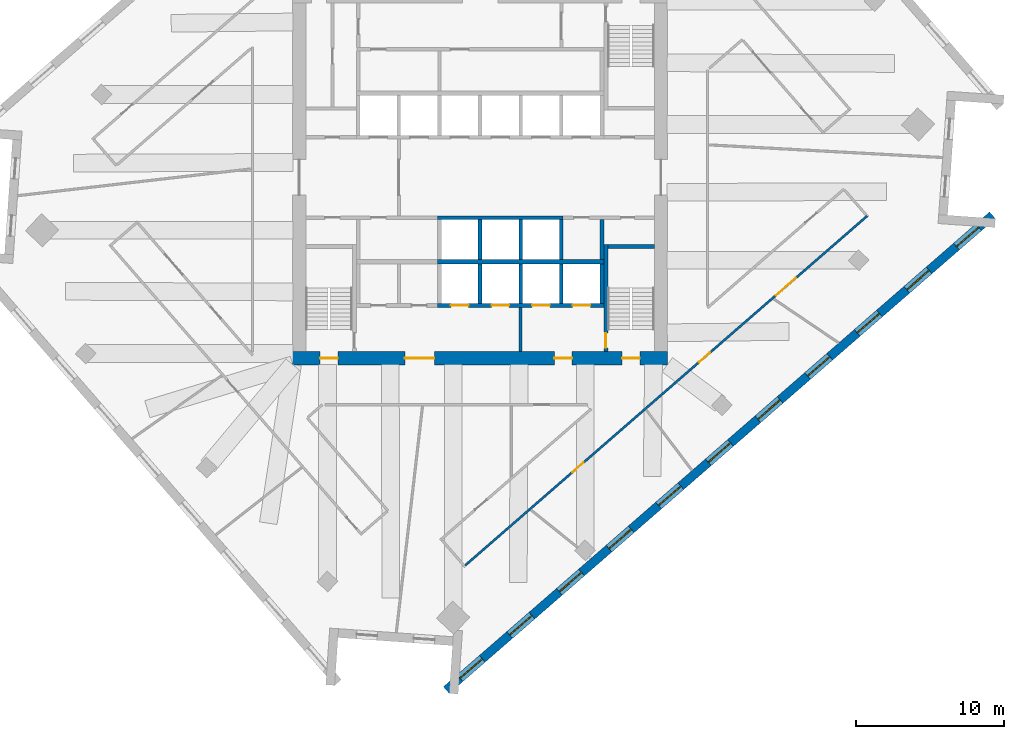
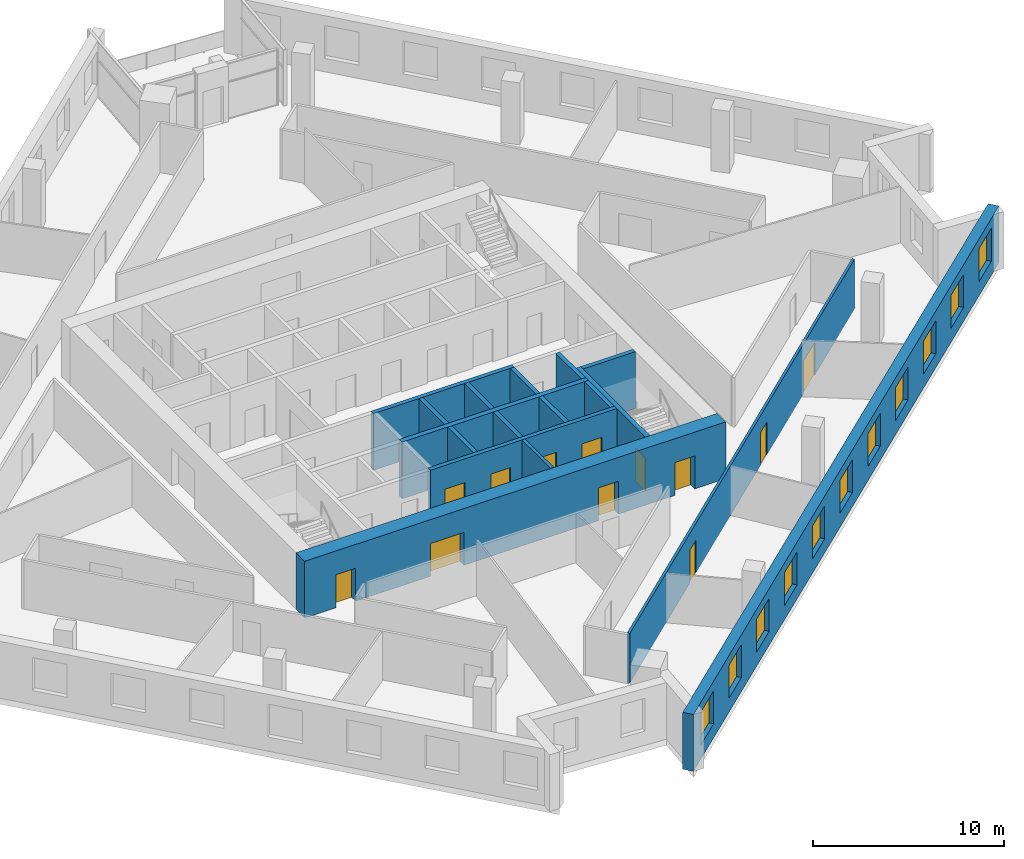
# One storey, part 5 of 11: 17 walls, 12 doors, 11 windows, 23 openings.
"""IFC4 building model written with IfcOpenShell, lengths in metres."""

from ifc_helpers import new_model, si_unit, direction, frame, frame_2d, origin, place, context, subcontext, project, spatial, rectangle, extrude, material, layer, layer_set, type_object, element, fill, save


model = new_model("IFC4")

# Units and contexts
model_context = context("Model", 3, precision=1e-05, world=origin(), true_north=direction((0.0, 1.0)))
body_context = subcontext(model_context, "Body", "Model", "MODEL_VIEW")
ifc_project = project(units=[si_unit("LENGTHUNIT", "METRE"), si_unit("AREAUNIT", "SQUARE_METRE"), si_unit("VOLUMEUNIT", "CUBIC_METRE"), si_unit("PLANEANGLEUNIT", "RADIAN"), si_unit("MASSUNIT", "GRAM", prefix="KILO")], contexts=[model_context])

# Site, building, storey
site_placement = place(None, origin())
site = spatial("IfcSite", under=ifc_project, at=site_placement, CompositionType="ELEMENT")
building_placement = place(site_placement, origin())
building = spatial("IfcBuilding", under=site, at=building_placement, Name="Dilmun Exchange Tower", CompositionType="ELEMENT")
storey_placement = place(building_placement, frame((0.0, 0.0, 189.300048828125)))
storey = spatial("IfcBuildingStorey", under=building, at=storey_placement, Name="L44", CompositionType="ELEMENT", Elevation=189.300048828125)

# Walls
ifc_material_1 = material(Name="Concrete C40/50", Category="concrete")
ifc_layer_1 = layer(ifc_material_1, 0.199951171875)
ifc_layer_set_1 = layer_set([ifc_layer_1], Name="Concrete C40/50")
wall_type_1 = type_object("IfcWallType", Name="Core partition wall 200", PredefinedType="PARTITIONING", material=ifc_layer_set_1)
wall_1_placement = place(storey_placement, frame((2.75, -11.794921875, 0.0), z_axis=(0.0, 0.0, 1.0), x_axis=(0.0, 1.0, 0.0)))
element("IfcWall", 1, at=wall_1_placement, inside=storey, type_object=wall_type_1, Name="L44 core partition wall 01", PredefinedType="PARTITIONING", context=body_context, shape_type="SweptSolid", body=[
    extrude(rectangle(XDim=2.989990234375, YDim=0.199951171875, at=frame_2d((1.4951171875, 0.0))), origin(), (0.0, 0.0, 1.0), 3.619873046875),
])
ifc_layer_2 = layer(ifc_material_1, 0.25)
ifc_layer_set_2 = layer_set([ifc_layer_2], Name="Concrete C40/50")
wall_type_2 = type_object("IfcWallType", Name="Core partition wall 250", PredefinedType="PARTITIONING", material=ifc_layer_set_2)
wall_2_placement = place(storey_placement, frame((8.25, -5.544921875, 0.0), z_axis=(0.0, 0.0, 1.0), x_axis=(0.0, 1.0, 0.0)))
element("IfcWall", 2, at=wall_2_placement, inside=storey, type_object=wall_type_2, Name="L44 core partition wall 07", PredefinedType="PARTITIONING", context=body_context, shape_type="SweptSolid", body=[
    extrude(rectangle(XDim=2.68994140625, YDim=0.25, at=frame_2d((1.344970703125, 0.0))), origin(), (0.0, 0.0, 1.0), 3.619873046875),
])

# Wall, openings, doors
ifc_material_2 = material(Name="Concrete C60/75", Category="concrete")
ifc_layer_3 = layer(ifc_material_2, 0.89990234375)
ifc_layer_set_3 = layer_set([ifc_layer_3], Name="Concrete C60/75")
wall_type_3 = type_object("IfcWallType", Name="Core shear wall 900 Concrete C60/75", PredefinedType="SHEAR", material=ifc_layer_set_3)
wall_3_placement = place(storey_placement, frame((-12.699951171875, -12.25, 0.0), z_axis=(0.0, 0.0, 1.0), x_axis=(1.0, 0.0, 0.0)))
wall_3 = element("IfcWall", 3, at=wall_3_placement, inside=storey, type_object=wall_type_3, Name="L44 core shear wall S", PredefinedType="SHEAR", context=body_context, shape_type="SweptSolid", body=[
    extrude(rectangle(XDim=25.39990234375, YDim=0.89990234375, at=frame_2d((12.699951171875, 0.0))), origin(), (0.0, 0.0, 1.0), 3.619873046875),
])
opening_1_placement = place(wall_3_placement, frame((7.60009765625, 0.0, 0.0)))
opening_1 = element("IfcOpeningElement", 4, at=opening_1_placement, cuts=wall_3, Name="Opening CD2", PredefinedType="OPENING", context=body_context, shape_type="SweptSolid", body=[
    extrude(rectangle(XDim=2.0, YDim=2.10009765625, at=frame_2d((1.0, 1.050048828125))), frame((0.0, 0.4599609375, 0.0), z_axis=(0.0, -1.0, 0.0), x_axis=(1.0, 0.0, 0.0)), (0.0, 0.0, 1.0), 0.919921875),
])
opening_2_placement = place(wall_3_placement, frame((17.72509765625, 0.0, 0.0)))
opening_2 = element("IfcOpeningElement", 5, at=opening_2_placement, cuts=wall_3, Name="Opening CD3", PredefinedType="OPENING", context=body_context, shape_type="SweptSolid", body=[
    extrude(rectangle(XDim=1.199951171875, YDim=2.10009765625, at=frame_2d((0.60009765625, 1.050048828125))), frame((0.0, 0.4599609375, 0.0), z_axis=(0.0, -1.0, 0.0), x_axis=(1.0, 0.0, 0.0)), (0.0, 0.0, 1.0), 0.919921875),
])
opening_3_placement = place(wall_3_placement, frame((1.875, 0.0, 0.0)))
opening_3 = element("IfcOpeningElement", 6, at=opening_3_placement, cuts=wall_3, Name="Opening CD3", PredefinedType="OPENING", context=body_context, shape_type="SweptSolid", body=[
    extrude(rectangle(XDim=1.199951171875, YDim=2.10009765625, at=frame_2d((0.60009765625, 1.050048828125))), frame((0.0, 0.4599609375, 0.0), z_axis=(0.0, -1.0, 0.0), x_axis=(1.0, 0.0, 0.0)), (0.0, 0.0, 1.0), 0.919921875),
])
opening_4_placement = place(wall_3_placement, frame((22.324951171875, 0.0, 0.0)))
opening_4 = element("IfcOpeningElement", 7, at=opening_4_placement, cuts=wall_3, Name="Opening CD3", PredefinedType="OPENING", context=body_context, shape_type="SweptSolid", body=[
    extrude(rectangle(XDim=1.199951171875, YDim=2.10009765625, at=frame_2d((0.60009765625, 1.050048828125))), frame((0.0, 0.4599609375, 0.0), z_axis=(0.0, -1.0, 0.0), x_axis=(1.0, 0.0, 0.0)), (0.0, 0.0, 1.0), 0.919921875),
])
ifc_material_3 = material(Name="Fire-rated steel door set", Category="steel")
door_type_1 = type_object("IfcDoorType", Name="Core service door 2000x2100", OperationType="DOUBLE_DOOR_DOUBLE_SWING", PredefinedType="DOOR", material=ifc_material_3)
door_1_placement = place(opening_1_placement, origin())
door_1 = element("IfcDoor", 8, at=door_1_placement, inside=storey, type_object=door_type_1, Name="L44 door South service lobby", OperationType="SINGLE_SWING_LEFT", OverallHeight=2.10009765625, OverallWidth=2.0, PredefinedType="DOOR", context=body_context, shape_type="SweptSolid", body=[
    extrude(rectangle(XDim=2.0, YDim=2.10009765625, at=frame_2d((1.0, 1.050048828125))), frame((0.0, 0.02490234375, 0.0), z_axis=(0.0, -1.0, 0.0), x_axis=(1.0, 0.0, 0.0)), (0.0, 0.0, 1.0), 0.050048828125),
])
fill(opening_1, door_1)
door_type_2 = type_object("IfcDoorType", Name="Stair exit door 1200x2100", OperationType="SINGLE_SWING_LEFT", PredefinedType="DOOR", material=ifc_material_3)
door_2_placement = place(opening_2_placement, origin())
door_2 = element("IfcDoor", 9, at=door_2_placement, inside=storey, type_object=door_type_2, Name="L44 door Fire-fighting lobby", OperationType="SINGLE_SWING_LEFT", OverallHeight=2.10009765625, OverallWidth=1.199951171875, PredefinedType="DOOR", context=body_context, shape_type="SweptSolid", body=[
    extrude(rectangle(XDim=1.199951171875, YDim=2.10009765625, at=frame_2d((0.60009765625, 1.050048828125))), frame((0.0, 0.02490234375, 0.0), z_axis=(0.0, -1.0, 0.0), x_axis=(1.0, 0.0, 0.0)), (0.0, 0.0, 1.0), 0.050048828125),
])
fill(opening_2, door_2)
door_3_placement = place(opening_3_placement, origin())
door_3 = element("IfcDoor", 10, at=door_3_placement, inside=storey, type_object=door_type_2, Name="L44 door Stair ST2", OperationType="SINGLE_SWING_LEFT", OverallHeight=2.10009765625, OverallWidth=1.199951171875, PredefinedType="DOOR", context=body_context, shape_type="SweptSolid", body=[
    extrude(rectangle(XDim=1.199951171875, YDim=2.10009765625, at=frame_2d((0.60009765625, 1.050048828125))), frame((0.0, 0.02490234375, 0.0), z_axis=(0.0, -1.0, 0.0), x_axis=(1.0, 0.0, 0.0)), (0.0, 0.0, 1.0), 0.050048828125),
])
fill(opening_3, door_3)
door_4_placement = place(opening_4_placement, origin())
door_4 = element("IfcDoor", 11, at=door_4_placement, inside=storey, type_object=door_type_2, Name="L44 door Stair ST3", OperationType="SINGLE_SWING_LEFT", OverallHeight=2.10009765625, OverallWidth=1.199951171875, PredefinedType="DOOR", context=body_context, shape_type="SweptSolid", body=[
    extrude(rectangle(XDim=1.199951171875, YDim=2.10009765625, at=frame_2d((0.60009765625, 1.050048828125))), frame((0.0, 0.02490234375, 0.0), z_axis=(0.0, -1.0, 0.0), x_axis=(1.0, 0.0, 0.0)), (0.0, 0.0, 1.0), 0.050048828125),
])
fill(opening_4, door_4)

ifc_material_4 = material(Name="Corridor wall 150")
ifc_layer_4 = layer(ifc_material_4, 0.14990234375)
ifc_layer_set_4 = layer_set([ifc_layer_4], Name="Corridor wall 150")
wall_type_4 = type_object("IfcWallType", Name="Corridor wall 150", PredefinedType="PARTITIONING", material=ifc_layer_set_4)
wall_4_placement = place(storey_placement, frame((-1.00048828125, -26.267822265625, 0.0), z_axis=(0.0, 0.0, 1.0), x_axis=(0.754711356604, 0.656056985492, 0.0)))
wall_4 = element("IfcWall", 12, at=wall_4_placement, inside=storey, type_object=wall_type_4, Name="Corridor wall", PredefinedType="PARTITIONING", context=body_context, shape_type="SweptSolid", body=[
    extrude(rectangle(XDim=36.051513671875, YDim=0.14990234375, at=frame_2d((18.02587890625, 0.0))), origin(), (0.0, 0.0, 1.0), 3.169921875),
])
opening_5_placement = place(wall_4_placement, frame((9.597900390625, 0.0, 0.0)))
opening_5 = element("IfcOpeningElement", 13, at=opening_5_placement, cuts=wall_4, Name="Opening TF44-D13", PredefinedType="OPENING", context=body_context, shape_type="SweptSolid", body=[
    extrude(rectangle(XDim=1.0, YDim=2.10009765625, at=frame_2d((0.5, 1.050048828125))), frame((0.0, 0.0849609375, 0.0), z_axis=(0.0, -1.0, 0.0), x_axis=(1.0, 0.0, 0.0)), (0.0, 0.0, 1.0), 0.169921875),
])
opening_6_placement = place(wall_4_placement, frame((20.957275390625, 0.0, 0.0)))
opening_6 = element("IfcOpeningElement", 14, at=opening_6_placement, cuts=wall_4, Name="Opening TF44-D14", PredefinedType="OPENING", context=body_context, shape_type="SweptSolid", body=[
    extrude(rectangle(XDim=1.0, YDim=2.10009765625, at=frame_2d((0.5, 1.050048828125))), frame((0.0, 0.0849609375, 0.0), z_axis=(0.0, -1.0, 0.0), x_axis=(1.0, 0.0, 0.0)), (0.0, 0.0, 1.0), 0.169921875),
])
opening_7_placement = place(wall_4_placement, frame((27.86962890625, 0.0, 0.0)))
opening_7 = element("IfcOpeningElement", 15, at=opening_7_placement, cuts=wall_4, Name="Opening TF44-D15", PredefinedType="OPENING", context=body_context, shape_type="SweptSolid", body=[
    extrude(rectangle(XDim=1.800048828125, YDim=2.10009765625, at=frame_2d((0.89990234375, 1.050048828125))), frame((0.0, 0.0849609375, 0.0), z_axis=(0.0, -1.0, 0.0), x_axis=(1.0, 0.0, 0.0)), (0.0, 0.0, 1.0), 0.169921875),
])
ifc_material_5 = material(Name="Fire door 1000 x 2100")
door_type_3 = type_object("IfcDoorType", Name="Fire door 1000 x 2100", OperationType="NOTDEFINED", PredefinedType="DOOR", material=ifc_material_5)
door_5_placement = place(opening_5_placement, frame((1.0, 0.0, 0.0), z_axis=(0.0, 0.0, 1.0), x_axis=(-1.0, 0.0, 0.0)))
door_5 = element("IfcDoor", 16, at=door_5_placement, inside=storey, type_object=door_type_3, Name="Door TF44-D13", OperationType="SINGLE_SWING_LEFT", OverallHeight=2.10009765625, OverallWidth=1.0, PredefinedType="DOOR", context=body_context, shape_type="SweptSolid", body=[
    extrude(rectangle(XDim=1.0, YDim=2.10009765625, at=frame_2d((0.5, 1.050048828125))), frame((0.0, 0.02490234375, 0.0), z_axis=(0.0, -1.0, 0.0), x_axis=(1.0, 0.0, 0.0)), (0.0, 0.0, 1.0), 0.050048828125),
])
fill(opening_5, door_5)
door_6_placement = place(opening_6_placement, frame((1.0, 0.0, 0.0), z_axis=(0.0, 0.0, 1.0), x_axis=(-1.0, 0.0, 0.0)))
door_6 = element("IfcDoor", 17, at=door_6_placement, inside=storey, type_object=door_type_3, Name="Door TF44-D14", OperationType="SINGLE_SWING_LEFT", OverallHeight=2.10009765625, OverallWidth=1.0, PredefinedType="DOOR", context=body_context, shape_type="SweptSolid", body=[
    extrude(rectangle(XDim=1.0, YDim=2.10009765625, at=frame_2d((0.5, 1.050048828125))), frame((0.0, 0.02490234375, 0.0), z_axis=(0.0, -1.0, 0.0), x_axis=(1.0, 0.0, 0.0)), (0.0, 0.0, 1.0), 0.050048828125),
])
fill(opening_6, door_6)
ifc_material_6 = material(Name="Fire door pair 1800 x 2100")
door_type_4 = type_object("IfcDoorType", Name="Fire door pair 1800 x 2100", OperationType="NOTDEFINED", PredefinedType="DOOR", material=ifc_material_6)
door_7_placement = place(opening_7_placement, frame((1.800048828125, 0.0, 0.0), z_axis=(0.0, 0.0, 1.0), x_axis=(-1.0, 0.0, 0.0)))
door_7 = element("IfcDoor", 18, at=door_7_placement, inside=storey, type_object=door_type_4, Name="Door TF44-D15", OperationType="DOUBLE_DOOR_SINGLE_SWING", OverallHeight=2.10009765625, OverallWidth=1.800048828125, PredefinedType="DOOR", context=body_context, shape_type="SweptSolid", body=[
    extrude(rectangle(XDim=1.800048828125, YDim=2.10009765625, at=frame_2d((0.89990234375, 1.050048828125))), frame((0.0, 0.02490234375, 0.0), z_axis=(0.0, -1.0, 0.0), x_axis=(1.0, 0.0, 0.0)), (0.0, 0.0, 1.0), 0.050048828125),
])
fill(opening_7, door_7)

# Walls
ifc_layer_5 = layer(ifc_material_1, 0.300048828125)
ifc_layer_set_5 = layer_set([ifc_layer_5], Name="Concrete C40/50")
wall_type_5 = type_object("IfcWallType", Name="Lift shaft shared wall 300", PredefinedType="SOLIDWALL", material=ifc_layer_set_5)
wall_5_placement = place(storey_placement, frame((-2.875, -5.699951171875, 0.0), z_axis=(0.0, 0.0, 1.0), x_axis=(1.0, 0.0, 0.0)))
element("IfcWall", 19, at=wall_5_placement, inside=storey, type_object=wall_type_5, Name="L44 lift shaft rear wall S", PredefinedType="SOLIDWALL", context=body_context, shape_type="SweptSolid", body=[
    extrude(rectangle(XDim=11.25, YDim=0.300048828125, at=frame_2d((5.625, 0.0))), origin(), (0.0, 0.0, 1.0), 3.619873046875),
])
ifc_layer_6 = layer(ifc_material_1, 0.25)
ifc_layer_set_6 = layer_set([ifc_layer_6], Name="Concrete C40/50")
wall_type_6 = type_object("IfcWallType", Name="Lift shaft wall 250", PredefinedType="SOLIDWALL", material=ifc_layer_set_6)
wall_6_placement = place(storey_placement, frame((-2.875, -2.72509765625, 0.0), z_axis=(0.0, 0.0, 1.0), x_axis=(1.0, 0.0, 0.0)))
element("IfcWall", 20, at=wall_6_placement, inside=storey, type_object=wall_type_6, Name="L44 lift shaft front wall S1", PredefinedType="SOLIDWALL", context=body_context, shape_type="SweptSolid", body=[
    extrude(rectangle(XDim=8.5, YDim=0.25, at=frame_2d((4.25, 0.0))), origin(), (0.0, 0.0, 1.0), 3.619873046875),
])
for number, where, z_axis, x_axis, name in (
    (21, (0.0, -5.550048828125, 0.0), (0.0, 0.0, 1.0), (0.0, 1.0, 0.0), "L44 lift shaft divider S13"),
    (22, (2.75, -5.550048828125, 0.0), (0.0, 0.0, 1.0), (0.0, 1.0, 0.0), "L44 lift shaft divider S14"),
    (23, (5.5, -5.550048828125, 0.0), (0.0, 0.0, 1.0), (0.0, 1.0, 0.0), "L44 lift shaft divider S15"),
):
    element("IfcWall", number, at=place(storey_placement, frame(where, z_axis=z_axis, x_axis=x_axis)), inside=storey, type_object=wall_type_6, Name=name, PredefinedType="SOLIDWALL", context=body_context, shape_type="SweptSolid", body=[
        extrude(rectangle(XDim=2.699951171875, YDim=0.25, at=frame_2d((1.35009765625, 0.0))), origin(), (0.0, 0.0, 1.0), 3.619873046875),
    ])

# Wall, openings, doors
wall_7_placement = place(storey_placement, frame((-2.875, -8.675048828125, 0.0), z_axis=(0.0, 0.0, 1.0), x_axis=(1.0, 0.0, 0.0)))
wall_7 = element("IfcWall", 24, at=wall_7_placement, inside=storey, type_object=wall_type_6, Name="L44 lift shaft front wall S2", PredefinedType="SOLIDWALL", context=body_context, shape_type="SweptSolid", body=[
    extrude(rectangle(XDim=11.25, YDim=0.25, at=frame_2d((5.625, 0.0))), origin(), (0.0, 0.0, 1.0), 3.619873046875),
])
opening_8_placement = place(wall_7_placement, frame((0.89990234375, 0.0, 0.0)))
opening_8 = element("IfcOpeningElement", 25, at=opening_8_placement, cuts=wall_7, Name="Opening LD", PredefinedType="OPENING", context=body_context, shape_type="SweptSolid", body=[
    extrude(rectangle(XDim=1.199951171875, YDim=2.10009765625, at=frame_2d((0.60009765625, 1.050048828125))), frame((0.0, 0.135009765625, 0.0), z_axis=(0.0, -1.0, 0.0), x_axis=(1.0, 0.0, 0.0)), (0.0, 0.0, 1.0), 0.27001953125),
])
opening_9_placement = place(wall_7_placement, frame((3.64990234375, 0.0, 0.0)))
opening_9 = element("IfcOpeningElement", 26, at=opening_9_placement, cuts=wall_7, Name="Opening LD", PredefinedType="OPENING", context=body_context, shape_type="SweptSolid", body=[
    extrude(rectangle(XDim=1.199951171875, YDim=2.10009765625, at=frame_2d((0.60009765625, 1.050048828125))), frame((0.0, 0.135009765625, 0.0), z_axis=(0.0, -1.0, 0.0), x_axis=(1.0, 0.0, 0.0)), (0.0, 0.0, 1.0), 0.27001953125),
])
opening_10_placement = place(wall_7_placement, frame((6.39990234375, 0.0, 0.0)))
opening_10 = element("IfcOpeningElement", 27, at=opening_10_placement, cuts=wall_7, Name="Opening LD", PredefinedType="OPENING", context=body_context, shape_type="SweptSolid", body=[
    extrude(rectangle(XDim=1.199951171875, YDim=2.10009765625, at=frame_2d((0.60009765625, 1.050048828125))), frame((0.0, 0.135009765625, 0.0), z_axis=(0.0, -1.0, 0.0), x_axis=(1.0, 0.0, 0.0)), (0.0, 0.0, 1.0), 0.27001953125),
])
opening_11_placement = place(wall_7_placement, frame((9.14990234375, 0.0, 0.0)))
opening_11 = element("IfcOpeningElement", 28, at=opening_11_placement, cuts=wall_7, Name="Opening LD", PredefinedType="OPENING", context=body_context, shape_type="SweptSolid", body=[
    extrude(rectangle(XDim=1.199951171875, YDim=2.10009765625, at=frame_2d((0.60009765625, 1.050048828125))), frame((0.0, 0.135009765625, 0.0), z_axis=(0.0, -1.0, 0.0), x_axis=(1.0, 0.0, 0.0)), (0.0, 0.0, 1.0), 0.27001953125),
])
door_type_5 = type_object("IfcDoorType", Name="Lift landing door 1200x2100", OperationType="DOUBLE_DOOR_SLIDING", PredefinedType="DOOR", material=ifc_material_3)
door_8_placement = place(opening_8_placement, origin())
door_8 = element("IfcDoor", 29, at=door_8_placement, inside=storey, type_object=door_type_5, Name="L44 landing door SV1", OperationType="DOUBLE_DOOR_SLIDING", OverallHeight=2.10009765625, OverallWidth=1.199951171875, PredefinedType="DOOR", context=body_context, shape_type="SweptSolid", body=[
    extrude(rectangle(XDim=1.199951171875, YDim=2.10009765625, at=frame_2d((0.60009765625, 1.050048828125))), frame((0.0, 0.02490234375, 0.0), z_axis=(0.0, -1.0, 0.0), x_axis=(1.0, 0.0, 0.0)), (0.0, 0.0, 1.0), 0.050048828125),
])
fill(opening_8, door_8)
door_9_placement = place(opening_9_placement, origin())
door_9 = element("IfcDoor", 30, at=door_9_placement, inside=storey, type_object=door_type_5, Name="L44 landing door SV2", OperationType="DOUBLE_DOOR_SLIDING", OverallHeight=2.10009765625, OverallWidth=1.199951171875, PredefinedType="DOOR", context=body_context, shape_type="SweptSolid", body=[
    extrude(rectangle(XDim=1.199951171875, YDim=2.10009765625, at=frame_2d((0.60009765625, 1.050048828125))), frame((0.0, 0.02490234375, 0.0), z_axis=(0.0, -1.0, 0.0), x_axis=(1.0, 0.0, 0.0)), (0.0, 0.0, 1.0), 0.050048828125),
])
fill(opening_9, door_9)
door_10_placement = place(opening_10_placement, origin())
door_10 = element("IfcDoor", 31, at=door_10_placement, inside=storey, type_object=door_type_5, Name="L44 landing door FF1", OperationType="DOUBLE_DOOR_SLIDING", OverallHeight=2.10009765625, OverallWidth=1.199951171875, PredefinedType="DOOR", context=body_context, shape_type="SweptSolid", body=[
    extrude(rectangle(XDim=1.199951171875, YDim=2.10009765625, at=frame_2d((0.60009765625, 1.050048828125))), frame((0.0, 0.02490234375, 0.0), z_axis=(0.0, -1.0, 0.0), x_axis=(1.0, 0.0, 0.0)), (0.0, 0.0, 1.0), 0.050048828125),
])
fill(opening_10, door_10)
door_11_placement = place(opening_11_placement, origin())
door_11 = element("IfcDoor", 32, at=door_11_placement, inside=storey, type_object=door_type_5, Name="L44 landing door FF2", OperationType="DOUBLE_DOOR_SLIDING", OverallHeight=2.10009765625, OverallWidth=1.199951171875, PredefinedType="DOOR", context=body_context, shape_type="SweptSolid", body=[
    extrude(rectangle(XDim=1.199951171875, YDim=2.10009765625, at=frame_2d((0.60009765625, 1.050048828125))), frame((0.0, 0.02490234375, 0.0), z_axis=(0.0, -1.0, 0.0), x_axis=(1.0, 0.0, 0.0)), (0.0, 0.0, 1.0), 0.050048828125),
])
fill(opening_11, door_11)

# Walls
for number, where, z_axis, x_axis, name in (
    (33, (0.0, -8.550048828125, 0.0), (0.0, 0.0, 1.0), (0.0, 1.0, 0.0), "L44 lift shaft divider S23"),
    (34, (2.75, -8.550048828125, 0.0), (0.0, 0.0, 1.0), (0.0, 1.0, 0.0), "L44 lift shaft divider S24"),
    (35, (5.5, -8.550048828125, 0.0), (0.0, 0.0, 1.0), (0.0, 1.0, 0.0), "L44 lift shaft divider S25"),
    (36, (8.25, -8.550048828125, 0.0), (0.0, 0.0, 1.0), (0.0, 1.0, 0.0), "L44 lift shaft divider S26"),
):
    element("IfcWall", number, at=place(storey_placement, frame(where, z_axis=z_axis, x_axis=x_axis)), inside=storey, type_object=wall_type_6, Name=name, PredefinedType="SOLIDWALL", context=body_context, shape_type="SweptSolid", body=[
        extrude(rectangle(XDim=2.699951171875, YDim=0.25, at=frame_2d((1.35009765625, 0.0))), origin(), (0.0, 0.0, 1.0), 3.619873046875),
    ])

# Wall, openings, windows
ifc_material_7 = material(Name="Precast concrete C50/60", Category="concrete")
ifc_layer_7 = layer(ifc_material_7, 0.60009765625)
ifc_layer_set_7 = layer_set([ifc_layer_7], Name="Precast concrete C50/60")
wall_type_7 = type_object("IfcWallType", Name="Precast stone-clad wall 600", PredefinedType="STANDARD", material=ifc_layer_set_7)
wall_8_placement = place(storey_placement, frame((-2.28564453125, -34.71484375, 0.0), z_axis=(0.0, 0.0, 1.0), x_axis=(0.754708272811, 0.656060532993, 0.0)))
wall_8 = element("IfcWall", 37, at=wall_8_placement, inside=storey, type_object=wall_type_7, Name="Facade wall L44-11", PredefinedType="STANDARD", context=body_context, shape_type="SweptSolid", body=[
    extrude(rectangle(XDim=49.0, YDim=0.60009765625, at=frame_2d((24.5, 0.0))), origin(), (0.0, 0.0, 1.0), 3.619873046875),
])
opening_12_placement = place(wall_8_placement, frame((1.227294921875, 0.0, 0.89990234375)))
opening_12 = element("IfcOpeningElement", 38, at=opening_12_placement, cuts=wall_8, Name="Opening W200-210", PredefinedType="OPENING", context=body_context, shape_type="SweptSolid", body=[
    extrude(rectangle(XDim=2.0, YDim=2.10009765625, at=frame_2d((1.0, 1.050048828125))), frame((0.0, 0.31005859375, 0.0), z_axis=(0.0, -1.0, 0.0), x_axis=(1.0, 0.0, 0.0)), (0.0, 0.0, 1.0), 0.6201171875),
])
opening_13_placement = place(wall_8_placement, frame((5.681884765625, 0.0, 0.89990234375)))
opening_13 = element("IfcOpeningElement", 39, at=opening_13_placement, cuts=wall_8, Name="Opening W200-210", PredefinedType="OPENING", context=body_context, shape_type="SweptSolid", body=[
    extrude(rectangle(XDim=2.0, YDim=2.10009765625, at=frame_2d((1.0, 1.050048828125))), frame((0.0, 0.31005859375, 0.0), z_axis=(0.0, -1.0, 0.0), x_axis=(1.0, 0.0, 0.0)), (0.0, 0.0, 1.0), 0.6201171875),
])
opening_14_placement = place(wall_8_placement, frame((10.136474609375, 0.0, 0.89990234375)))
opening_14 = element("IfcOpeningElement", 40, at=opening_14_placement, cuts=wall_8, Name="Opening W200-210", PredefinedType="OPENING", context=body_context, shape_type="SweptSolid", body=[
    extrude(rectangle(XDim=2.0, YDim=2.10009765625, at=frame_2d((1.0, 1.050048828125))), frame((0.0, 0.31005859375, 0.0), z_axis=(0.0, -1.0, 0.0), x_axis=(1.0, 0.0, 0.0)), (0.0, 0.0, 1.0), 0.6201171875),
])
opening_15_placement = place(wall_8_placement, frame((14.5908203125, 0.0, 0.89990234375)))
opening_15 = element("IfcOpeningElement", 41, at=opening_15_placement, cuts=wall_8, Name="Opening W200-210", PredefinedType="OPENING", context=body_context, shape_type="SweptSolid", body=[
    extrude(rectangle(XDim=2.0, YDim=2.10009765625, at=frame_2d((1.0, 1.050048828125))), frame((0.0, 0.31005859375, 0.0), z_axis=(0.0, -1.0, 0.0), x_axis=(1.0, 0.0, 0.0)), (0.0, 0.0, 1.0), 0.6201171875),
])
opening_16_placement = place(wall_8_placement, frame((19.04541015625, 0.0, 0.89990234375)))
opening_16 = element("IfcOpeningElement", 42, at=opening_16_placement, cuts=wall_8, Name="Opening W200-210", PredefinedType="OPENING", context=body_context, shape_type="SweptSolid", body=[
    extrude(rectangle(XDim=2.0, YDim=2.10009765625, at=frame_2d((1.0, 1.050048828125))), frame((0.0, 0.31005859375, 0.0), z_axis=(0.0, -1.0, 0.0), x_axis=(1.0, 0.0, 0.0)), (0.0, 0.0, 1.0), 0.6201171875),
])
opening_17_placement = place(wall_8_placement, frame((23.5, 0.0, 0.89990234375)))
opening_17 = element("IfcOpeningElement", 43, at=opening_17_placement, cuts=wall_8, Name="Opening W200-210", PredefinedType="OPENING", context=body_context, shape_type="SweptSolid", body=[
    extrude(rectangle(XDim=2.0, YDim=2.10009765625, at=frame_2d((1.0, 1.050048828125))), frame((0.0, 0.31005859375, 0.0), z_axis=(0.0, -1.0, 0.0), x_axis=(1.0, 0.0, 0.0)), (0.0, 0.0, 1.0), 0.6201171875),
])
opening_18_placement = place(wall_8_placement, frame((27.95458984375, 0.0, 0.89990234375)))
opening_18 = element("IfcOpeningElement", 44, at=opening_18_placement, cuts=wall_8, Name="Opening W200-210", PredefinedType="OPENING", context=body_context, shape_type="SweptSolid", body=[
    extrude(rectangle(XDim=2.0, YDim=2.10009765625, at=frame_2d((1.0, 1.050048828125))), frame((0.0, 0.31005859375, 0.0), z_axis=(0.0, -1.0, 0.0), x_axis=(1.0, 0.0, 0.0)), (0.0, 0.0, 1.0), 0.6201171875),
])
opening_19_placement = place(wall_8_placement, frame((32.4091796875, 0.0, 0.89990234375)))
opening_19 = element("IfcOpeningElement", 45, at=opening_19_placement, cuts=wall_8, Name="Opening W200-210", PredefinedType="OPENING", context=body_context, shape_type="SweptSolid", body=[
    extrude(rectangle(XDim=2.0, YDim=2.10009765625, at=frame_2d((1.0, 1.050048828125))), frame((0.0, 0.31005859375, 0.0), z_axis=(0.0, -1.0, 0.0), x_axis=(1.0, 0.0, 0.0)), (0.0, 0.0, 1.0), 0.6201171875),
])
opening_20_placement = place(wall_8_placement, frame((36.863525390625, 0.0, 0.89990234375)))
opening_20 = element("IfcOpeningElement", 46, at=opening_20_placement, cuts=wall_8, Name="Opening W200-210", PredefinedType="OPENING", context=body_context, shape_type="SweptSolid", body=[
    extrude(rectangle(XDim=2.0, YDim=2.10009765625, at=frame_2d((1.0, 1.050048828125))), frame((0.0, 0.31005859375, 0.0), z_axis=(0.0, -1.0, 0.0), x_axis=(1.0, 0.0, 0.0)), (0.0, 0.0, 1.0), 0.6201171875),
])
opening_21_placement = place(wall_8_placement, frame((41.318115234375, 0.0, 0.89990234375)))
opening_21 = element("IfcOpeningElement", 47, at=opening_21_placement, cuts=wall_8, Name="Opening W200-210", PredefinedType="OPENING", context=body_context, shape_type="SweptSolid", body=[
    extrude(rectangle(XDim=2.0, YDim=2.10009765625, at=frame_2d((1.0, 1.050048828125))), frame((0.0, 0.31005859375, 0.0), z_axis=(0.0, -1.0, 0.0), x_axis=(1.0, 0.0, 0.0)), (0.0, 0.0, 1.0), 0.6201171875),
])
opening_22_placement = place(wall_8_placement, frame((45.772705078125, 0.0, 0.89990234375)))
opening_22 = element("IfcOpeningElement", 48, at=opening_22_placement, cuts=wall_8, Name="Opening W200-210", PredefinedType="OPENING", context=body_context, shape_type="SweptSolid", body=[
    extrude(rectangle(XDim=2.0, YDim=2.10009765625, at=frame_2d((1.0, 1.050048828125))), frame((0.0, 0.31005859375, 0.0), z_axis=(0.0, -1.0, 0.0), x_axis=(1.0, 0.0, 0.0)), (0.0, 0.0, 1.0), 0.6201171875),
])
ifc_material_8 = material(Name="Clear low-emissivity glass in aluminium frame", Category="aluminium")
window_type = type_object("IfcWindowType", Name="Punched window 2000 x 2100", PartitioningType="DOUBLE_PANEL_VERTICAL", PredefinedType="WINDOW", material=ifc_material_8)
window_1_placement = place(opening_12_placement, origin())
window_1 = element("IfcWindow", 49, at=window_1_placement, inside=storey, type_object=window_type, Name="Window 12.1", OverallHeight=2.10009765625, OverallWidth=2.0, PartitioningType="SINGLE_PANEL", PredefinedType="WINDOW", context=body_context, shape_type="SweptSolid", body=[
    extrude(rectangle(XDim=2.0, YDim=2.10009765625, at=frame_2d((1.0, 1.050048828125))), frame((0.0, 0.030029296875, 0.0), z_axis=(0.0, -1.0, 0.0), x_axis=(1.0, 0.0, 0.0)), (0.0, 0.0, 1.0), 0.06005859375),
])
fill(opening_12, window_1)
window_2_placement = place(opening_13_placement, origin())
window_2 = element("IfcWindow", 50, at=window_2_placement, inside=storey, type_object=window_type, Name="Window 12.2", OverallHeight=2.10009765625, OverallWidth=2.0, PartitioningType="SINGLE_PANEL", PredefinedType="WINDOW", context=body_context, shape_type="SweptSolid", body=[
    extrude(rectangle(XDim=2.0, YDim=2.10009765625, at=frame_2d((1.0, 1.050048828125))), frame((0.0, 0.030029296875, 0.0), z_axis=(0.0, -1.0, 0.0), x_axis=(1.0, 0.0, 0.0)), (0.0, 0.0, 1.0), 0.06005859375),
])
fill(opening_13, window_2)
window_3_placement = place(opening_14_placement, origin())
window_3 = element("IfcWindow", 51, at=window_3_placement, inside=storey, type_object=window_type, Name="Window 12.3", OverallHeight=2.10009765625, OverallWidth=2.0, PartitioningType="SINGLE_PANEL", PredefinedType="WINDOW", context=body_context, shape_type="SweptSolid", body=[
    extrude(rectangle(XDim=2.0, YDim=2.10009765625, at=frame_2d((1.0, 1.050048828125))), frame((0.0, 0.030029296875, 0.0), z_axis=(0.0, -1.0, 0.0), x_axis=(1.0, 0.0, 0.0)), (0.0, 0.0, 1.0), 0.06005859375),
])
fill(opening_14, window_3)
window_4_placement = place(opening_15_placement, origin())
window_4 = element("IfcWindow", 52, at=window_4_placement, inside=storey, type_object=window_type, Name="Window 12.4", OverallHeight=2.10009765625, OverallWidth=2.0, PartitioningType="SINGLE_PANEL", PredefinedType="WINDOW", context=body_context, shape_type="SweptSolid", body=[
    extrude(rectangle(XDim=2.0, YDim=2.10009765625, at=frame_2d((1.0, 1.050048828125))), frame((0.0, 0.030029296875, 0.0), z_axis=(0.0, -1.0, 0.0), x_axis=(1.0, 0.0, 0.0)), (0.0, 0.0, 1.0), 0.06005859375),
])
fill(opening_15, window_4)
window_5_placement = place(opening_16_placement, origin())
window_5 = element("IfcWindow", 53, at=window_5_placement, inside=storey, type_object=window_type, Name="Window 12.5", OverallHeight=2.10009765625, OverallWidth=2.0, PartitioningType="SINGLE_PANEL", PredefinedType="WINDOW", context=body_context, shape_type="SweptSolid", body=[
    extrude(rectangle(XDim=2.0, YDim=2.10009765625, at=frame_2d((1.0, 1.050048828125))), frame((0.0, 0.030029296875, 0.0), z_axis=(0.0, -1.0, 0.0), x_axis=(1.0, 0.0, 0.0)), (0.0, 0.0, 1.0), 0.06005859375),
])
fill(opening_16, window_5)
window_6_placement = place(opening_17_placement, origin())
window_6 = element("IfcWindow", 54, at=window_6_placement, inside=storey, type_object=window_type, Name="Window 12.6", OverallHeight=2.10009765625, OverallWidth=2.0, PartitioningType="SINGLE_PANEL", PredefinedType="WINDOW", context=body_context, shape_type="SweptSolid", body=[
    extrude(rectangle(XDim=2.0, YDim=2.10009765625, at=frame_2d((1.0, 1.050048828125))), frame((0.0, 0.030029296875, 0.0), z_axis=(0.0, -1.0, 0.0), x_axis=(1.0, 0.0, 0.0)), (0.0, 0.0, 1.0), 0.06005859375),
])
fill(opening_17, window_6)
window_7_placement = place(opening_18_placement, origin())
window_7 = element("IfcWindow", 55, at=window_7_placement, inside=storey, type_object=window_type, Name="Window 12.7", OverallHeight=2.10009765625, OverallWidth=2.0, PartitioningType="SINGLE_PANEL", PredefinedType="WINDOW", context=body_context, shape_type="SweptSolid", body=[
    extrude(rectangle(XDim=2.0, YDim=2.10009765625, at=frame_2d((1.0, 1.050048828125))), frame((0.0, 0.030029296875, 0.0), z_axis=(0.0, -1.0, 0.0), x_axis=(1.0, 0.0, 0.0)), (0.0, 0.0, 1.0), 0.06005859375),
])
fill(opening_18, window_7)
window_8_placement = place(opening_19_placement, origin())
window_8 = element("IfcWindow", 56, at=window_8_placement, inside=storey, type_object=window_type, Name="Window 12.8", OverallHeight=2.10009765625, OverallWidth=2.0, PartitioningType="SINGLE_PANEL", PredefinedType="WINDOW", context=body_context, shape_type="SweptSolid", body=[
    extrude(rectangle(XDim=2.0, YDim=2.10009765625, at=frame_2d((1.0, 1.050048828125))), frame((0.0, 0.030029296875, 0.0), z_axis=(0.0, -1.0, 0.0), x_axis=(1.0, 0.0, 0.0)), (0.0, 0.0, 1.0), 0.06005859375),
])
fill(opening_19, window_8)
window_9_placement = place(opening_20_placement, origin())
window_9 = element("IfcWindow", 57, at=window_9_placement, inside=storey, type_object=window_type, Name="Window 12.9", OverallHeight=2.10009765625, OverallWidth=2.0, PartitioningType="SINGLE_PANEL", PredefinedType="WINDOW", context=body_context, shape_type="SweptSolid", body=[
    extrude(rectangle(XDim=2.0, YDim=2.10009765625, at=frame_2d((1.0, 1.050048828125))), frame((0.0, 0.030029296875, 0.0), z_axis=(0.0, -1.0, 0.0), x_axis=(1.0, 0.0, 0.0)), (0.0, 0.0, 1.0), 0.06005859375),
])
fill(opening_20, window_9)
window_10_placement = place(opening_21_placement, origin())
window_10 = element("IfcWindow", 58, at=window_10_placement, inside=storey, type_object=window_type, Name="Window 12.10", OverallHeight=2.10009765625, OverallWidth=2.0, PartitioningType="SINGLE_PANEL", PredefinedType="WINDOW", context=body_context, shape_type="SweptSolid", body=[
    extrude(rectangle(XDim=2.0, YDim=2.10009765625, at=frame_2d((1.0, 1.050048828125))), frame((0.0, 0.030029296875, 0.0), z_axis=(0.0, -1.0, 0.0), x_axis=(1.0, 0.0, 0.0)), (0.0, 0.0, 1.0), 0.06005859375),
])
fill(opening_21, window_10)
window_11_placement = place(opening_22_placement, origin())
window_11 = element("IfcWindow", 59, at=window_11_placement, inside=storey, type_object=window_type, Name="Window 12.11", OverallHeight=2.10009765625, OverallWidth=2.0, PartitioningType="SINGLE_PANEL", PredefinedType="WINDOW", context=body_context, shape_type="SweptSolid", body=[
    extrude(rectangle(XDim=2.0, YDim=2.10009765625, at=frame_2d((1.0, 1.050048828125))), frame((0.0, 0.030029296875, 0.0), z_axis=(0.0, -1.0, 0.0), x_axis=(1.0, 0.0, 0.0)), (0.0, 0.0, 1.0), 0.06005859375),
])
fill(opening_22, window_11)

# Wall
ifc_layer_8 = layer(ifc_material_1, 0.25)
ifc_layer_set_8 = layer_set([ifc_layer_8], Name="Concrete C40/50")
wall_type_8 = type_object("IfcWallType", Name="Stair end wall 250", PredefinedType="SOLIDWALL", material=ifc_layer_set_8)
wall_9_placement = place(storey_placement, frame((8.64990234375, -4.675048828125, 0.0), z_axis=(0.0, 0.0, 1.0), x_axis=(1.0, 0.0, 0.0)))
element("IfcWall", 60, at=wall_9_placement, inside=storey, type_object=wall_type_8, Name="L44 ST3 far wall", PredefinedType="SOLIDWALL", context=body_context, shape_type="SweptSolid", body=[
    extrude(rectangle(XDim=3.150146484375, YDim=0.25, at=frame_2d((1.5751953125, 0.0))), origin(), (0.0, 0.0, 1.0), 3.619873046875),
])

# Wall, opening, door
ifc_layer_9 = layer(ifc_material_1, 0.27490234375)
ifc_layer_set_9 = layer_set([ifc_layer_9], Name="Concrete C40/50")
wall_type_9 = type_object("IfcWallType", Name="Stair wall 275", PredefinedType="SOLIDWALL", material=ifc_layer_set_9)
wall_10_placement = place(storey_placement, frame((8.512451171875, -4.550048828125, 0.0), z_axis=(0.0, 0.0, 1.0), x_axis=(0.0, -1.0, 0.0)))
wall_10 = element("IfcWall", 61, at=wall_10_placement, inside=storey, type_object=wall_type_9, Name="L44 ST3 wall to lift block", PredefinedType="SOLIDWALL", context=body_context, shape_type="SweptSolid", body=[
    extrude(rectangle(XDim=7.25, YDim=0.27490234375, at=frame_2d((3.625, 0.0))), origin(), (0.0, 0.0, 1.0), 3.619873046875),
])
opening_23_placement = place(wall_10_placement, frame((6.0, 0.0, 0.0)))
opening_23 = element("IfcOpeningElement", 62, at=opening_23_placement, cuts=wall_10, Name="Opening CD4", PredefinedType="OPENING", context=body_context, shape_type="SweptSolid", body=[
    extrude(rectangle(XDim=1.0, YDim=2.10009765625, at=frame_2d((0.5, 1.050048828125))), frame((0.0, 0.1474609375, 0.0), z_axis=(0.0, -1.0, 0.0), x_axis=(1.0, 0.0, 0.0)), (0.0, 0.0, 1.0), 0.294921875),
])
door_type_6 = type_object("IfcDoorType", Name="Core room door 1000x2100", OperationType="SINGLE_SWING_LEFT", PredefinedType="DOOR", material=ifc_material_3)
door_12_placement = place(opening_23_placement, origin())
door_12 = element("IfcDoor", 63, at=door_12_placement, inside=storey, type_object=door_type_6, Name="L44 door ST3 from lobby", OperationType="SINGLE_SWING_LEFT", OverallHeight=2.10009765625, OverallWidth=1.0, PredefinedType="DOOR", context=body_context, shape_type="SweptSolid", body=[
    extrude(rectangle(XDim=1.0, YDim=2.10009765625, at=frame_2d((0.5, 1.050048828125))), frame((0.0, 0.02490234375, 0.0), z_axis=(0.0, -1.0, 0.0), x_axis=(1.0, 0.0, 0.0)), (0.0, 0.0, 1.0), 0.050048828125),
])
fill(opening_23, door_12)

save(model, "model.ifc")
